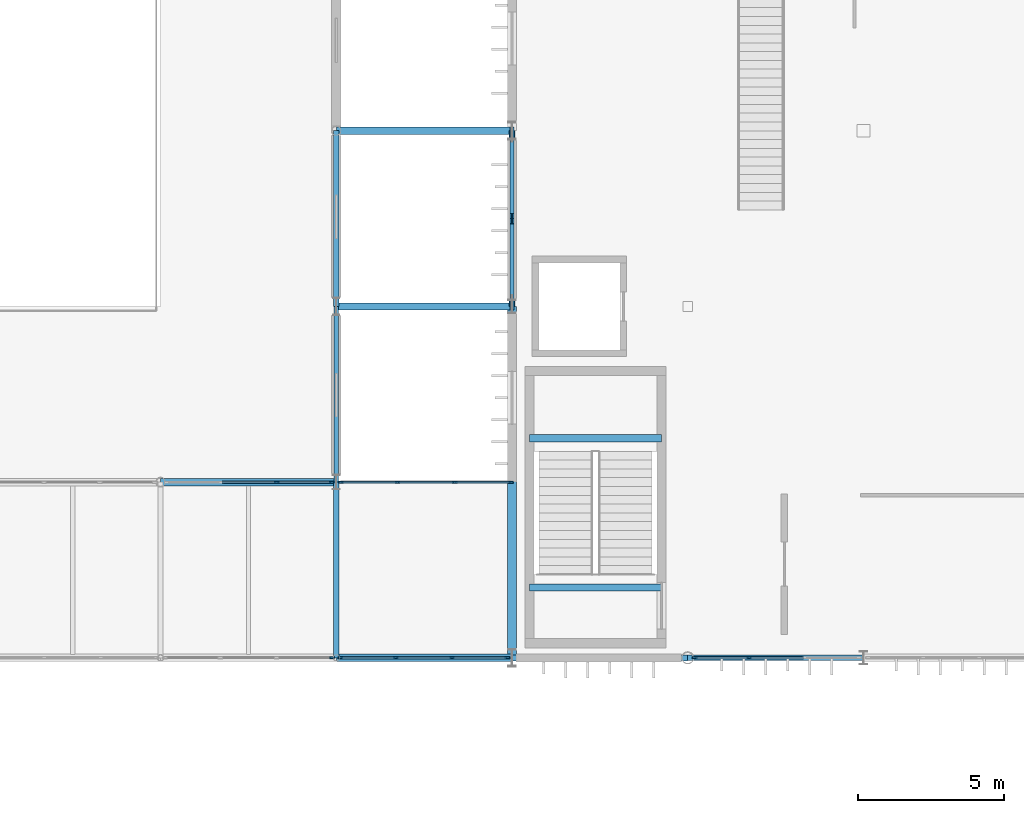
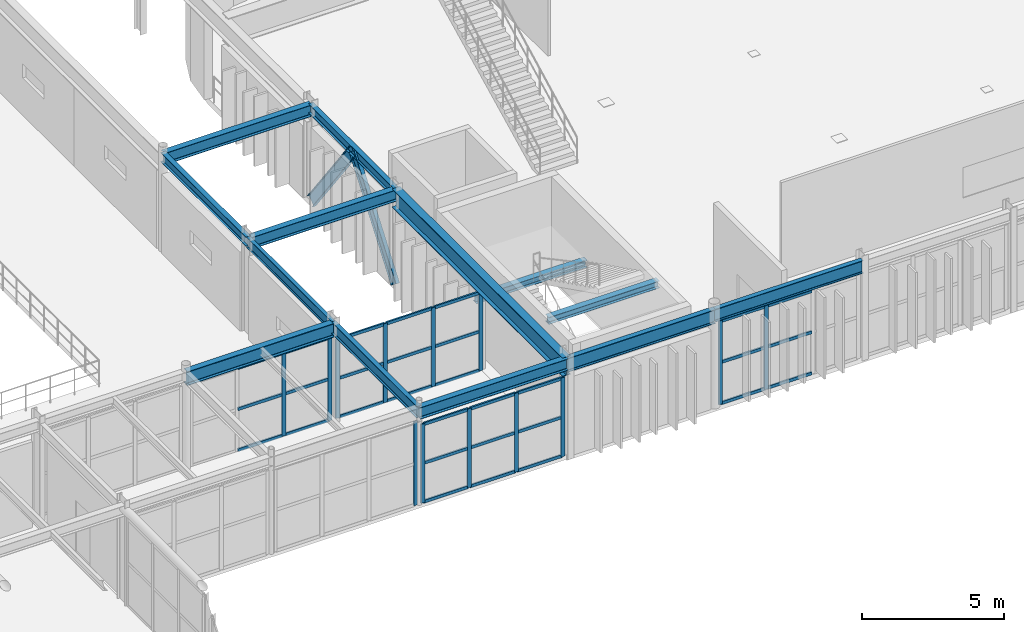
# One storey, part 35 of 84: 45 members, 13 beams, 5 elements without a shape of their own.
"""IFC4 building model written with IfcOpenShell, lengths in metres."""

from ifc_helpers import new_model, si_unit, direction, frame, origin, origin_2d, place, context, subcontext, project, spatial, rectangle, i_section, extrude, material, material_profile, profile_set, type_object, element, aggregate, save


model = new_model("IFC4")

# Units and contexts
model_context = context("Model", 3, precision=1e-05, world=origin(), true_north=direction((0.0, 1.0)))
body_context = subcontext(model_context, "Body", "Model", "MODEL_VIEW")
ifc_project = project(units=[si_unit("LENGTHUNIT", "METRE"), si_unit("AREAUNIT", "SQUARE_METRE"), si_unit("VOLUMEUNIT", "CUBIC_METRE"), si_unit("PLANEANGLEUNIT", "RADIAN"), si_unit("MASSUNIT", "GRAM", prefix="KILO")], contexts=[model_context])

# Site, building, storey
site_placement = place(None, origin())
site = spatial("IfcSite", under=ifc_project, at=site_placement, CompositionType="ELEMENT")
building_placement = place(site_placement, origin())
building = spatial("IfcBuilding", under=site, at=building_placement, Name="Varnakota Square Police Headquarters", CompositionType="ELEMENT")
storey_placement = place(building_placement, frame((0.0, 0.0, 13.5)))
storey = spatial("IfcBuildingStorey", under=building, at=storey_placement, Name="L03", CompositionType="ELEMENT", Elevation=13.5)

# Beams
ifc_material_1 = material(Name="Steel IS 2062 Grade 350", Category="steel")
ifc_material_profile_1 = material_profile(ifc_material_1, i_section(OverallWidth=0.320068359375, OverallDepth=0.800048828125, WebThickness=0.01611328125, FlangeThickness=0.028076171875, at=origin_2d()), Name="BPG 800x320")
ifc_profile_set_1 = profile_set([ifc_material_profile_1], Name="Steel IS 2062 Grade 350")
beam_type_1 = type_object("IfcBeamType", Name="BM-BPG800", PredefinedType="BEAM", material=ifc_profile_set_1)
beam_1_placement = place(storey_placement, frame((60.0, 69.0, 3.800048828125), z_axis=(0.0, 1.0, 0.0), x_axis=(-1.0, 0.0, 0.0)))
element("IfcBeam", 1, at=beam_1_placement, inside=storey, type_object=beam_type_1, Name="BMG-L03-2670", PredefinedType="BEAM", context=body_context, shape_type="SweptSolid", body=[
    extrude(i_section(OverallWidth=0.320068359375, OverallDepth=0.800048828125, WebThickness=0.01611328125, FlangeThickness=0.028076171875, at=origin_2d()), origin(), (0.0, 0.0, 1.0), 12.0),
])
ifc_material_profile_2 = material_profile(ifc_material_1, i_section(OverallWidth=0.25, OverallDepth=0.300048828125, WebThickness=0.009521484375, FlangeThickness=0.010498046875, FilletRadius=0.011962890625, at=origin_2d()), Name="ISHB 300")
ifc_profile_set_2 = profile_set([ifc_material_profile_2], Name="Steel IS 2062 Grade 350")
beam_type_2 = type_object("IfcBeamType", Name="BM-ISHB300", PredefinedType="BEAM", material=ifc_profile_set_2)
for number, where, z_axis, x_axis, name in (
    (2, (60.60009765625, 76.500732421875, 1.94189453125), (1.0, 0.0, 0.0), (0.0, 1.0, 0.0), "Stair landing support beam BM-LND-0077"),
    (3, (60.60009765625, 71.400146484375, 4.14990234375), (1.0, 0.0, 0.0), (0.0, 1.0, 0.0), "Stair landing support beam BM-LND-0078"),
):
    element("IfcBeam", number, at=place(storey_placement, frame(where, z_axis=z_axis, x_axis=x_axis)), inside=storey, type_object=beam_type_2, Name=name, PredefinedType="BEAM", context=body_context, shape_type="SweptSolid", body=[
        extrude(i_section(OverallWidth=0.25, OverallDepth=0.300048828125, WebThickness=0.009521484375, FlangeThickness=0.010498046875, FilletRadius=0.011962890625, at=origin_2d()), origin(), (0.0, 0.0, 1.0), 4.5),
    ])
ifc_material_profile_3 = material_profile(ifc_material_1, i_section(OverallWidth=0.14990234375, OverallDepth=0.449951171875, WebThickness=0.009521484375, FlangeThickness=0.017333984375, FilletRadius=0.014892578125, at=origin_2d()), Name="ISMB 450")
ifc_profile_set_3 = profile_set([ifc_material_profile_3], Name="Steel IS 2062 Grade 350")
beam_type_3 = type_object("IfcBeamType", Name="BM-ISMB450", PredefinedType="BEAM", material=ifc_profile_set_3)
beam_2_placement = place(storey_placement, frame((54.0, 75.0, 3.97509765625), z_axis=(0.0, 1.0, 0.0), x_axis=(-1.0, 0.0, 0.0)))
element("IfcBeam", 4, at=beam_2_placement, inside=storey, type_object=beam_type_3, Name="BMG-L03-2666", PredefinedType="BEAM", context=body_context, shape_type="SweptSolid", body=[
    extrude(i_section(OverallWidth=0.14990234375, OverallDepth=0.449951171875, WebThickness=0.009521484375, FlangeThickness=0.017333984375, FilletRadius=0.014892578125, at=origin_2d()), origin(), (0.0, 0.0, 1.0), 6.0),
])
ifc_material_profile_4 = material_profile(ifc_material_1, i_section(OverallWidth=0.179931640625, OverallDepth=0.5, WebThickness=0.01025390625, FlangeThickness=0.01708984375, FilletRadius=0.01708984375, at=origin_2d()), Name="ISMB 500")
ifc_profile_set_4 = profile_set([ifc_material_profile_4], Name="Steel IS 2062 Grade 350")
beam_type_4 = type_object("IfcBeamType", Name="BM-ISMB500", PredefinedType="BEAM", material=ifc_profile_set_4)
beam_3_placement = place(storey_placement, frame((54.0, 69.0, 3.949951171875), z_axis=(0.0, 1.0, 0.0), x_axis=(-1.0, 0.0, 0.0)))
element("IfcBeam", 5, at=beam_3_placement, inside=storey, type_object=beam_type_4, Name="BMG-L03-2665", PredefinedType="BEAM", context=body_context, shape_type="SweptSolid", body=[
    extrude(i_section(OverallWidth=0.179931640625, OverallDepth=0.5, WebThickness=0.01025390625, FlangeThickness=0.01708984375, FilletRadius=0.01708984375, at=origin_2d()), origin(), (0.0, 0.0, 1.0), 6.0),
])
ifc_material_profile_5 = material_profile(ifc_material_1, i_section(OverallWidth=0.18994140625, OverallDepth=0.550048828125, WebThickness=0.01123046875, FlangeThickness=0.019287109375, FilletRadius=0.01806640625, at=origin_2d()), Name="ISMB 550")
ifc_profile_set_5 = profile_set([ifc_material_profile_5], Name="Steel IS 2062 Grade 350")
beam_type_5 = type_object("IfcBeamType", Name="BM-ISMB550", PredefinedType="BEAM", material=ifc_profile_set_5)
beam_4_placement = place(storey_placement, frame((66.0, 69.0, 3.925048828125), z_axis=(1.0, 0.0, 0.0), x_axis=(0.0, 1.0, 0.0)))
element("IfcBeam", 6, at=beam_4_placement, inside=storey, type_object=beam_type_5, Name="BMG-L03-2517", PredefinedType="BEAM", context=body_context, shape_type="SweptSolid", body=[
    extrude(i_section(OverallWidth=0.18994140625, OverallDepth=0.550048828125, WebThickness=0.01123046875, FlangeThickness=0.019287109375, FilletRadius=0.01806640625, at=origin_2d()), origin(), (0.0, 0.0, 1.0), 6.0),
])
ifc_material_profile_6 = material_profile(ifc_material_1, i_section(OverallWidth=0.2099609375, OverallDepth=0.60009765625, WebThickness=0.011962890625, FlangeThickness=0.020751953125, FilletRadius=0.02001953125, at=origin_2d()), Name="ISMB 600")
ifc_profile_set_6 = profile_set([ifc_material_profile_6], Name="Steel IS 2062 Grade 350")
beam_type_6 = type_object("IfcBeamType", Name="BM-ISMB600", PredefinedType="BEAM", material=ifc_profile_set_6)
beam_5_placement = place(storey_placement, frame((60.0, 69.0, 3.89990234375), z_axis=(1.0, 0.0, 0.0), x_axis=(0.0, 1.0, 0.0)))
element("IfcBeam", 7, at=beam_5_placement, inside=storey, type_object=beam_type_6, Name="BMG-L03-2516", PredefinedType="BEAM", context=body_context, shape_type="SweptSolid", body=[
    extrude(i_section(OverallWidth=0.2099609375, OverallDepth=0.60009765625, WebThickness=0.011962890625, FlangeThickness=0.020751953125, FilletRadius=0.02001953125, at=origin_2d()), origin(), (0.0, 0.0, 1.0), 6.0),
])
ifc_material_profile_7 = material_profile(ifc_material_1, i_section(OverallWidth=0.199951171875, OverallDepth=0.39990234375, WebThickness=0.008544921875, FlangeThickness=0.012939453125, FilletRadius=0.012939453125, at=origin_2d()), Name="ISWB 400")
ifc_profile_set_7 = profile_set([ifc_material_profile_7], Name="Steel IS 2062 Grade 350")
beam_type_7 = type_object("IfcBeamType", Name="BM-ISWB400", PredefinedType="BEAM", material=ifc_profile_set_7)
for number, where, z_axis, x_axis, name in (
    (8, (54.0, 81.0, 4.0), (0.0, 1.0, 0.0), (-1.0, 0.0, 0.0), "BMG-L03-2667"),
    (9, (60.0, 81.0, 4.0), (0.0, 1.0, 0.0), (-1.0, 0.0, 0.0), "BMG-L03-2671"),
):
    element("IfcBeam", number, at=place(storey_placement, frame(where, z_axis=z_axis, x_axis=x_axis)), inside=storey, type_object=beam_type_7, Name=name, PredefinedType="BEAM", context=body_context, shape_type="SweptSolid", body=[
        extrude(i_section(OverallWidth=0.199951171875, OverallDepth=0.39990234375, WebThickness=0.008544921875, FlangeThickness=0.012939453125, FilletRadius=0.012939453125, at=origin_2d()), origin(), (0.0, 0.0, 1.0), 6.0),
    ])
ifc_material_profile_8 = material_profile(ifc_material_1, i_section(OverallWidth=0.25, OverallDepth=0.5, WebThickness=0.010009765625, FlangeThickness=0.0146484375, FilletRadius=0.014892578125, at=origin_2d()), Name="ISWB 500")
ifc_profile_set_8 = profile_set([ifc_material_profile_8], Name="Steel IS 2062 Grade 350")
beam_type_8 = type_object("IfcBeamType", Name="BM-ISWB500", PredefinedType="BEAM", material=ifc_profile_set_8)
for number, where, z_axis, x_axis, name in (
    (10, (54.0, 69.0, 3.949951171875), (1.0, 0.0, 0.0), (0.0, 1.0, 0.0), "BMG-L03-2515"),
    (11, (54.0, 81.0, 3.949951171875), (1.0, 0.0, 0.0), (0.0, 1.0, 0.0), "BMG-L03-2542"),
    (12, (54.0, 87.0, 3.949951171875), (1.0, 0.0, 0.0), (0.0, 1.0, 0.0), "BMG-L03-2550"),
):
    element("IfcBeam", number, at=place(storey_placement, frame(where, z_axis=z_axis, x_axis=x_axis)), inside=storey, type_object=beam_type_8, Name=name, PredefinedType="BEAM", context=body_context, shape_type="SweptSolid", body=[
        extrude(i_section(OverallWidth=0.25, OverallDepth=0.5, WebThickness=0.010009765625, FlangeThickness=0.0146484375, FilletRadius=0.014892578125, at=origin_2d()), origin(), (0.0, 0.0, 1.0), 6.0),
    ])
ifc_material_profile_9 = material_profile(ifc_material_1, i_section(OverallWidth=0.25, OverallDepth=0.60009765625, WebThickness=0.01171875, FlangeThickness=0.023681640625, FilletRadius=0.01708984375, at=origin_2d()), Name="ISWB 600")
ifc_profile_set_9 = profile_set([ifc_material_profile_9], Name="Steel IS 2062 Grade 350")
beam_type_9 = type_object("IfcBeamType", Name="BM-ISWB600", PredefinedType="BEAM", material=ifc_profile_set_9)
beam_6_placement = place(storey_placement, frame((48.0, 75.0, 3.89990234375), z_axis=(1.0, 0.0, 0.0), x_axis=(0.0, 1.0, 0.0)))
element("IfcBeam", 13, at=beam_6_placement, inside=storey, type_object=beam_type_9, Name="BMG-L03-2536", PredefinedType="BEAM", context=body_context, shape_type="SweptSolid", body=[
    extrude(i_section(OverallWidth=0.25, OverallDepth=0.60009765625, WebThickness=0.01171875, FlangeThickness=0.023681640625, FilletRadius=0.01708984375, at=origin_2d()), origin(), (0.0, 0.0, 1.0), 6.0),
])

# Curtain wall, member
ifc_material_2 = material(Name="Anodised Aluminium Framing", Category="aluminium")
curtain_wall_type_1 = type_object("IfcCurtainWallType", Name="CW-SYS-E", PredefinedType="NOTDEFINED", material=ifc_material_2)
curtain_wall_1_placement = place(storey_placement, origin())
curtain_wall_1 = element("IfcCurtainWall", 14, at=curtain_wall_1_placement, inside=storey, type_object=curtain_wall_type_1, Name="Unitised curtain wall CWG-L03-212", PredefinedType="NOTDEFINED")
ifc_material_3 = material(Name="Anodised Aluminium 6063-T6", Category="aluminium")
ifc_material_profile_10 = material_profile(ifc_material_3, rectangle(XDim=0.06494140625, YDim=0.159912109375, at=origin_2d()), Name="ALU MULLION 65x160")
ifc_profile_set_10 = profile_set([ifc_material_profile_10], Name="Anodised Aluminium 6063-T6")
member_type_1 = type_object("IfcMemberType", Name="CWM-150", PredefinedType="MULLION", material=ifc_profile_set_10)
member_1_placement = place(storey_placement, frame((53.852783203125, 69.0, 0.0), z_axis=(0.0, 0.0, 1.0), x_axis=(0.0, 1.0, 0.0)))
member_1 = element("IfcMember", 15, at=member_1_placement, type_object=member_type_1, Name="CWG-L03-212 mullion 4", PredefinedType="MULLION", context=body_context, shape_type="SweptSolid", body=[
    extrude(rectangle(XDim=0.06494140625, YDim=0.159912109375, at=origin_2d()), origin(), (0.0, 0.0, 1.0), 3.590087890625),
])
aggregate(curtain_wall_1, [member_1])

# Curtain wall, members
curtain_wall_2_placement = place(storey_placement, origin())
curtain_wall_2 = element("IfcCurtainWall", 16, at=curtain_wall_2_placement, inside=storey, type_object=curtain_wall_type_1, Name="Unitised curtain wall CWG-L03-213", PredefinedType="NOTDEFINED")
member_2_placement = place(storey_placement, frame((51.968994140625, 75.0, 0.0), z_axis=(0.0, 0.0, 1.0), x_axis=(0.0, 1.0, 0.0)))
member_2 = element("IfcMember", 17, at=member_2_placement, type_object=member_type_1, Name="CWG-L03-213 mullion 3", PredefinedType="MULLION", context=body_context, shape_type="SweptSolid", body=[
    extrude(rectangle(XDim=0.06494140625, YDim=0.159912109375, at=origin_2d()), origin(), (0.0, 0.0, 1.0), 3.590087890625),
])
member_3_placement = place(storey_placement, frame((53.83740234375, 75.0, 0.0), z_axis=(0.0, 0.0, 1.0), x_axis=(0.0, 1.0, 0.0)))
member_3 = element("IfcMember", 18, at=member_3_placement, type_object=member_type_1, Name="CWG-L03-213 mullion 4", PredefinedType="MULLION", context=body_context, shape_type="SweptSolid", body=[
    extrude(rectangle(XDim=0.06494140625, YDim=0.159912109375, at=origin_2d()), origin(), (0.0, 0.0, 1.0), 3.590087890625),
])

curtain_wall_3_placement = place(storey_placement, origin())
curtain_wall_3 = element("IfcCurtainWall", 19, at=curtain_wall_3_placement, inside=storey, type_object=curtain_wall_type_1, Name="Unitised curtain wall CWG-L03-214", PredefinedType="NOTDEFINED")
member_4_placement = place(storey_placement, frame((54.147216796875, 69.0, 0.0), z_axis=(0.0, 0.0, 1.0), x_axis=(0.0, 1.0, 0.0)))
member_4 = element("IfcMember", 20, at=member_4_placement, type_object=member_type_1, Name="CWG-L03-214 mullion 1", PredefinedType="MULLION", context=body_context, shape_type="SweptSolid", body=[
    extrude(rectangle(XDim=0.06494140625, YDim=0.159912109375, at=origin_2d()), origin(), (0.0, 0.0, 1.0), 3.389892578125),
])
member_5_placement = place(storey_placement, frame((56.032958984375, 69.0, 0.0), z_axis=(0.0, 0.0, 1.0), x_axis=(0.0, 1.0, 0.0)))
member_5 = element("IfcMember", 21, at=member_5_placement, type_object=member_type_1, Name="CWG-L03-214 mullion 2", PredefinedType="MULLION", context=body_context, shape_type="SweptSolid", body=[
    extrude(rectangle(XDim=0.06494140625, YDim=0.159912109375, at=origin_2d()), origin(), (0.0, 0.0, 1.0), 3.389892578125),
])
member_6_placement = place(storey_placement, frame((57.951416015625, 69.0, 0.0), z_axis=(0.0, 0.0, 1.0), x_axis=(0.0, 1.0, 0.0)))
member_6 = element("IfcMember", 22, at=member_6_placement, type_object=member_type_1, Name="CWG-L03-214 mullion 3", PredefinedType="MULLION", context=body_context, shape_type="SweptSolid", body=[
    extrude(rectangle(XDim=0.06494140625, YDim=0.159912109375, at=origin_2d()), origin(), (0.0, 0.0, 1.0), 3.389892578125),
])
member_7_placement = place(storey_placement, frame((59.83740234375, 69.0, 0.0), z_axis=(0.0, 0.0, 1.0), x_axis=(0.0, 1.0, 0.0)))
member_7 = element("IfcMember", 23, at=member_7_placement, type_object=member_type_1, Name="CWG-L03-214 mullion 4", PredefinedType="MULLION", context=body_context, shape_type="SweptSolid", body=[
    extrude(rectangle(XDim=0.06494140625, YDim=0.159912109375, at=origin_2d()), origin(), (0.0, 0.0, 1.0), 3.389892578125),
])

curtain_wall_4_placement = place(storey_placement, origin())
curtain_wall_4 = element("IfcCurtainWall", 24, at=curtain_wall_4_placement, inside=storey, type_object=curtain_wall_type_1, Name="Unitised curtain wall CWG-L03-215", PredefinedType="NOTDEFINED")
member_8_placement = place(storey_placement, frame((54.16259765625, 75.0, 0.0), z_axis=(0.0, 0.0, 1.0), x_axis=(0.0, 1.0, 0.0)))
member_8 = element("IfcMember", 25, at=member_8_placement, type_object=member_type_1, Name="CWG-L03-215 mullion 1", PredefinedType="MULLION", context=body_context, shape_type="SweptSolid", body=[
    extrude(rectangle(XDim=0.06494140625, YDim=0.159912109375, at=origin_2d()), origin(), (0.0, 0.0, 1.0), 3.389892578125),
])
member_9_placement = place(storey_placement, frame((56.086669921875, 75.0, 0.0), z_axis=(0.0, 0.0, 1.0), x_axis=(0.0, 1.0, 0.0)))
member_9 = element("IfcMember", 26, at=member_9_placement, type_object=member_type_1, Name="CWG-L03-215 mullion 2", PredefinedType="MULLION", context=body_context, shape_type="SweptSolid", body=[
    extrude(rectangle(XDim=0.06494140625, YDim=0.159912109375, at=origin_2d()), origin(), (0.0, 0.0, 1.0), 3.389892578125),
])
member_10_placement = place(storey_placement, frame((58.043212890625, 75.0, 0.0), z_axis=(0.0, 0.0, 1.0), x_axis=(0.0, 1.0, 0.0)))
member_10 = element("IfcMember", 27, at=member_10_placement, type_object=member_type_1, Name="CWG-L03-215 mullion 3", PredefinedType="MULLION", context=body_context, shape_type="SweptSolid", body=[
    extrude(rectangle(XDim=0.06494140625, YDim=0.159912109375, at=origin_2d()), origin(), (0.0, 0.0, 1.0), 3.389892578125),
])
member_11_placement = place(storey_placement, frame((59.967529296875, 75.0, 0.0), z_axis=(0.0, 0.0, 1.0), x_axis=(0.0, 1.0, 0.0)))
member_11 = element("IfcMember", 28, at=member_11_placement, type_object=member_type_1, Name="CWG-L03-215 mullion 4", PredefinedType="MULLION", context=body_context, shape_type="SweptSolid", body=[
    extrude(rectangle(XDim=0.06494140625, YDim=0.159912109375, at=origin_2d()), origin(), (0.0, 0.0, 1.0), 3.389892578125),
])

curtain_wall_type_2 = type_object("IfcCurtainWallType", Name="CW-SYS-B", PredefinedType="NOTDEFINED", material=ifc_material_2)
curtain_wall_5_placement = place(storey_placement, origin())
curtain_wall_5 = element("IfcCurtainWall", 29, at=curtain_wall_5_placement, inside=storey, type_object=curtain_wall_type_2, Name="Unitised curtain wall CWG-L03-245", PredefinedType="NOTDEFINED")
member_12_placement = place(storey_placement, frame((66.24072265625, 69.0, 0.0), z_axis=(0.0, 0.0, 1.0), x_axis=(0.0, 1.0, 0.0)))
member_12 = element("IfcMember", 30, at=member_12_placement, type_object=member_type_1, Name="CWG-L03-245 mullion 1", PredefinedType="MULLION", context=body_context, shape_type="SweptSolid", body=[
    extrude(rectangle(XDim=0.06494140625, YDim=0.159912109375, at=origin_2d()), origin(), (0.0, 0.0, 1.0), 3.590087890625),
])
member_13_placement = place(storey_placement, frame((68.095458984375, 69.0, 0.0), z_axis=(0.0, 0.0, 1.0), x_axis=(0.0, 1.0, 0.0)))
member_13 = element("IfcMember", 31, at=member_13_placement, type_object=member_type_1, Name="CWG-L03-245 mullion 2", PredefinedType="MULLION", context=body_context, shape_type="SweptSolid", body=[
    extrude(rectangle(XDim=0.06494140625, YDim=0.159912109375, at=origin_2d()), origin(), (0.0, 0.0, 1.0), 3.590087890625),
])

# Member
ifc_material_profile_11 = material_profile(ifc_material_3, rectangle(XDim=0.06494140625, YDim=0.1298828125, at=origin_2d()), Name="ALU TRANSOM 65x130")
ifc_profile_set_11 = profile_set([ifc_material_profile_11], Name="Anodised Aluminium 6063-T6")
member_type_2 = type_object("IfcMemberType", Name="CWT-120", PredefinedType="USERDEFINED", material=ifc_profile_set_11)
member_14_placement = place(storey_placement, frame((50.100341796875, 75.0, 0.032470703125), z_axis=(1.0, 0.0, 0.0), x_axis=(0.0, 1.0, 0.0)))
member_14 = element("IfcMember", 32, at=member_14_placement, type_object=member_type_2, Name="CWG-L03-213 transom 2.1", ObjectType="TRANSOM", PredefinedType="USERDEFINED", context=body_context, shape_type="SweptSolid", body=[
    extrude(rectangle(XDim=0.06494140625, YDim=0.1298828125, at=origin_2d()), origin(), (0.0, 0.0, 1.0), 1.836181640625),
])

member_15_placement = place(storey_placement, frame((50.100341796875, 75.0, 1.794921875), z_axis=(1.0, 0.0, 0.0), x_axis=(0.0, 1.0, 0.0)))
member_15 = element("IfcMember", 33, at=member_15_placement, type_object=member_type_2, Name="CWG-L03-213 transom 2.2", ObjectType="TRANSOM", PredefinedType="USERDEFINED", context=body_context, shape_type="SweptSolid", body=[
    extrude(rectangle(XDim=0.06494140625, YDim=0.1298828125, at=origin_2d()), origin(), (0.0, 0.0, 1.0), 1.836181640625),
])

member_16_placement = place(storey_placement, frame((50.100341796875, 75.0, 3.5576171875), z_axis=(1.0, 0.0, 0.0), x_axis=(0.0, 1.0, 0.0)))
member_16 = element("IfcMember", 34, at=member_16_placement, type_object=member_type_2, Name="CWG-L03-213 transom 2.3", ObjectType="TRANSOM", PredefinedType="USERDEFINED", context=body_context, shape_type="SweptSolid", body=[
    extrude(rectangle(XDim=0.06494140625, YDim=0.1298828125, at=origin_2d()), origin(), (0.0, 0.0, 1.0), 1.836181640625),
])

member_17_placement = place(storey_placement, frame((52.00146484375, 75.0, 0.032470703125), z_axis=(1.0, 0.0, 0.0), x_axis=(0.0, 1.0, 0.0)))
member_17 = element("IfcMember", 35, at=member_17_placement, type_object=member_type_2, Name="CWG-L03-213 transom 3.1", ObjectType="TRANSOM", PredefinedType="USERDEFINED", context=body_context, shape_type="SweptSolid", body=[
    extrude(rectangle(XDim=0.06494140625, YDim=0.1298828125, at=origin_2d()), origin(), (0.0, 0.0, 1.0), 1.803466796875),
])

member_18_placement = place(storey_placement, frame((52.00146484375, 75.0, 1.794921875), z_axis=(1.0, 0.0, 0.0), x_axis=(0.0, 1.0, 0.0)))
member_18 = element("IfcMember", 36, at=member_18_placement, type_object=member_type_2, Name="CWG-L03-213 transom 3.2", ObjectType="TRANSOM", PredefinedType="USERDEFINED", context=body_context, shape_type="SweptSolid", body=[
    extrude(rectangle(XDim=0.06494140625, YDim=0.1298828125, at=origin_2d()), origin(), (0.0, 0.0, 1.0), 1.803466796875),
])

member_19_placement = place(storey_placement, frame((52.00146484375, 75.0, 3.5576171875), z_axis=(1.0, 0.0, 0.0), x_axis=(0.0, 1.0, 0.0)))
member_19 = element("IfcMember", 37, at=member_19_placement, type_object=member_type_2, Name="CWG-L03-213 transom 3.3", ObjectType="TRANSOM", PredefinedType="USERDEFINED", context=body_context, shape_type="SweptSolid", body=[
    extrude(rectangle(XDim=0.06494140625, YDim=0.1298828125, at=origin_2d()), origin(), (0.0, 0.0, 1.0), 1.803466796875),
])

aggregate(curtain_wall_2, [member_2, member_3, member_14, member_15, member_16, member_17, member_18, member_19])

member_20_placement = place(storey_placement, frame((54.1796875, 69.0, 0.032470703125), z_axis=(1.0, 0.0, 0.0), x_axis=(0.0, 1.0, 0.0)))
member_20 = element("IfcMember", 38, at=member_20_placement, type_object=member_type_2, Name="CWG-L03-214 transom 1.1", ObjectType="TRANSOM", PredefinedType="USERDEFINED", context=body_context, shape_type="SweptSolid", body=[
    extrude(rectangle(XDim=0.06494140625, YDim=0.1298828125, at=origin_2d()), origin(), (0.0, 0.0, 1.0), 1.82080078125),
])

member_21_placement = place(storey_placement, frame((54.1796875, 69.0, 1.695068359375), z_axis=(1.0, 0.0, 0.0), x_axis=(0.0, 1.0, 0.0)))
member_21 = element("IfcMember", 39, at=member_21_placement, type_object=member_type_2, Name="CWG-L03-214 transom 1.2", ObjectType="TRANSOM", PredefinedType="USERDEFINED", context=body_context, shape_type="SweptSolid", body=[
    extrude(rectangle(XDim=0.06494140625, YDim=0.1298828125, at=origin_2d()), origin(), (0.0, 0.0, 1.0), 1.82080078125),
])

member_22_placement = place(storey_placement, frame((54.1796875, 69.0, 3.357421875), z_axis=(1.0, 0.0, 0.0), x_axis=(0.0, 1.0, 0.0)))
member_22 = element("IfcMember", 40, at=member_22_placement, type_object=member_type_2, Name="CWG-L03-214 transom 1.3", ObjectType="TRANSOM", PredefinedType="USERDEFINED", context=body_context, shape_type="SweptSolid", body=[
    extrude(rectangle(XDim=0.06494140625, YDim=0.1298828125, at=origin_2d()), origin(), (0.0, 0.0, 1.0), 1.82080078125),
])

member_23_placement = place(storey_placement, frame((56.065673828125, 69.0, 0.032470703125), z_axis=(1.0, 0.0, 0.0), x_axis=(0.0, 1.0, 0.0)))
member_23 = element("IfcMember", 41, at=member_23_placement, type_object=member_type_2, Name="CWG-L03-214 transom 2.1", ObjectType="TRANSOM", PredefinedType="USERDEFINED", context=body_context, shape_type="SweptSolid", body=[
    extrude(rectangle(XDim=0.06494140625, YDim=0.1298828125, at=origin_2d()), origin(), (0.0, 0.0, 1.0), 1.853271484375),
])

member_24_placement = place(storey_placement, frame((56.065673828125, 69.0, 1.695068359375), z_axis=(1.0, 0.0, 0.0), x_axis=(0.0, 1.0, 0.0)))
member_24 = element("IfcMember", 42, at=member_24_placement, type_object=member_type_2, Name="CWG-L03-214 transom 2.2", ObjectType="TRANSOM", PredefinedType="USERDEFINED", context=body_context, shape_type="SweptSolid", body=[
    extrude(rectangle(XDim=0.06494140625, YDim=0.1298828125, at=origin_2d()), origin(), (0.0, 0.0, 1.0), 1.853271484375),
])

member_25_placement = place(storey_placement, frame((56.065673828125, 69.0, 3.357421875), z_axis=(1.0, 0.0, 0.0), x_axis=(0.0, 1.0, 0.0)))
member_25 = element("IfcMember", 43, at=member_25_placement, type_object=member_type_2, Name="CWG-L03-214 transom 2.3", ObjectType="TRANSOM", PredefinedType="USERDEFINED", context=body_context, shape_type="SweptSolid", body=[
    extrude(rectangle(XDim=0.06494140625, YDim=0.1298828125, at=origin_2d()), origin(), (0.0, 0.0, 1.0), 1.853271484375),
])

member_26_placement = place(storey_placement, frame((57.984130859375, 69.0, 0.032470703125), z_axis=(1.0, 0.0, 0.0), x_axis=(0.0, 1.0, 0.0)))
member_26 = element("IfcMember", 44, at=member_26_placement, type_object=member_type_2, Name="CWG-L03-214 transom 3.1", ObjectType="TRANSOM", PredefinedType="USERDEFINED", context=body_context, shape_type="SweptSolid", body=[
    extrude(rectangle(XDim=0.06494140625, YDim=0.1298828125, at=origin_2d()), origin(), (0.0, 0.0, 1.0), 1.82080078125),
])

member_27_placement = place(storey_placement, frame((57.984130859375, 69.0, 1.695068359375), z_axis=(1.0, 0.0, 0.0), x_axis=(0.0, 1.0, 0.0)))
member_27 = element("IfcMember", 45, at=member_27_placement, type_object=member_type_2, Name="CWG-L03-214 transom 3.2", ObjectType="TRANSOM", PredefinedType="USERDEFINED", context=body_context, shape_type="SweptSolid", body=[
    extrude(rectangle(XDim=0.06494140625, YDim=0.1298828125, at=origin_2d()), origin(), (0.0, 0.0, 1.0), 1.82080078125),
])

member_28_placement = place(storey_placement, frame((57.984130859375, 69.0, 3.357421875), z_axis=(1.0, 0.0, 0.0), x_axis=(0.0, 1.0, 0.0)))
member_28 = element("IfcMember", 46, at=member_28_placement, type_object=member_type_2, Name="CWG-L03-214 transom 3.3", ObjectType="TRANSOM", PredefinedType="USERDEFINED", context=body_context, shape_type="SweptSolid", body=[
    extrude(rectangle(XDim=0.06494140625, YDim=0.1298828125, at=origin_2d()), origin(), (0.0, 0.0, 1.0), 1.82080078125),
])

aggregate(curtain_wall_3, [member_4, member_5, member_6, member_7, member_20, member_21, member_22, member_23, member_24, member_25, member_26, member_27, member_28])

member_29_placement = place(storey_placement, frame((54.195068359375, 75.0, 0.032470703125), z_axis=(1.0, 0.0, 0.0), x_axis=(0.0, 1.0, 0.0)))
member_29 = element("IfcMember", 47, at=member_29_placement, type_object=member_type_2, Name="CWG-L03-215 transom 1.1", ObjectType="TRANSOM", PredefinedType="USERDEFINED", context=body_context, shape_type="SweptSolid", body=[
    extrude(rectangle(XDim=0.06494140625, YDim=0.1298828125, at=origin_2d()), origin(), (0.0, 0.0, 1.0), 1.859130859375),
])

member_30_placement = place(storey_placement, frame((54.195068359375, 75.0, 1.695068359375), z_axis=(1.0, 0.0, 0.0), x_axis=(0.0, 1.0, 0.0)))
member_30 = element("IfcMember", 48, at=member_30_placement, type_object=member_type_2, Name="CWG-L03-215 transom 1.2", ObjectType="TRANSOM", PredefinedType="USERDEFINED", context=body_context, shape_type="SweptSolid", body=[
    extrude(rectangle(XDim=0.06494140625, YDim=0.1298828125, at=origin_2d()), origin(), (0.0, 0.0, 1.0), 1.859130859375),
])

member_31_placement = place(storey_placement, frame((54.195068359375, 75.0, 3.357421875), z_axis=(1.0, 0.0, 0.0), x_axis=(0.0, 1.0, 0.0)))
member_31 = element("IfcMember", 49, at=member_31_placement, type_object=member_type_2, Name="CWG-L03-215 transom 1.3", ObjectType="TRANSOM", PredefinedType="USERDEFINED", context=body_context, shape_type="SweptSolid", body=[
    extrude(rectangle(XDim=0.06494140625, YDim=0.1298828125, at=origin_2d()), origin(), (0.0, 0.0, 1.0), 1.859130859375),
])

member_32_placement = place(storey_placement, frame((56.119140625, 75.0, 0.032470703125), z_axis=(1.0, 0.0, 0.0), x_axis=(0.0, 1.0, 0.0)))
member_32 = element("IfcMember", 50, at=member_32_placement, type_object=member_type_2, Name="CWG-L03-215 transom 2.1", ObjectType="TRANSOM", PredefinedType="USERDEFINED", context=body_context, shape_type="SweptSolid", body=[
    extrude(rectangle(XDim=0.06494140625, YDim=0.1298828125, at=origin_2d()), origin(), (0.0, 0.0, 1.0), 1.8916015625),
])

member_33_placement = place(storey_placement, frame((56.119140625, 75.0, 1.695068359375), z_axis=(1.0, 0.0, 0.0), x_axis=(0.0, 1.0, 0.0)))
member_33 = element("IfcMember", 51, at=member_33_placement, type_object=member_type_2, Name="CWG-L03-215 transom 2.2", ObjectType="TRANSOM", PredefinedType="USERDEFINED", context=body_context, shape_type="SweptSolid", body=[
    extrude(rectangle(XDim=0.06494140625, YDim=0.1298828125, at=origin_2d()), origin(), (0.0, 0.0, 1.0), 1.8916015625),
])

member_34_placement = place(storey_placement, frame((56.119140625, 75.0, 3.357421875), z_axis=(1.0, 0.0, 0.0), x_axis=(0.0, 1.0, 0.0)))
member_34 = element("IfcMember", 52, at=member_34_placement, type_object=member_type_2, Name="CWG-L03-215 transom 2.3", ObjectType="TRANSOM", PredefinedType="USERDEFINED", context=body_context, shape_type="SweptSolid", body=[
    extrude(rectangle(XDim=0.06494140625, YDim=0.1298828125, at=origin_2d()), origin(), (0.0, 0.0, 1.0), 1.8916015625),
])

member_35_placement = place(storey_placement, frame((58.075927734375, 75.0, 0.032470703125), z_axis=(1.0, 0.0, 0.0), x_axis=(0.0, 1.0, 0.0)))
member_35 = element("IfcMember", 53, at=member_35_placement, type_object=member_type_2, Name="CWG-L03-215 transom 3.1", ObjectType="TRANSOM", PredefinedType="USERDEFINED", context=body_context, shape_type="SweptSolid", body=[
    extrude(rectangle(XDim=0.06494140625, YDim=0.1298828125, at=origin_2d()), origin(), (0.0, 0.0, 1.0), 1.859130859375),
])

member_36_placement = place(storey_placement, frame((58.075927734375, 75.0, 1.695068359375), z_axis=(1.0, 0.0, 0.0), x_axis=(0.0, 1.0, 0.0)))
member_36 = element("IfcMember", 54, at=member_36_placement, type_object=member_type_2, Name="CWG-L03-215 transom 3.2", ObjectType="TRANSOM", PredefinedType="USERDEFINED", context=body_context, shape_type="SweptSolid", body=[
    extrude(rectangle(XDim=0.06494140625, YDim=0.1298828125, at=origin_2d()), origin(), (0.0, 0.0, 1.0), 1.859130859375),
])

member_37_placement = place(storey_placement, frame((58.075927734375, 75.0, 3.357421875), z_axis=(1.0, 0.0, 0.0), x_axis=(0.0, 1.0, 0.0)))
member_37 = element("IfcMember", 55, at=member_37_placement, type_object=member_type_2, Name="CWG-L03-215 transom 3.3", ObjectType="TRANSOM", PredefinedType="USERDEFINED", context=body_context, shape_type="SweptSolid", body=[
    extrude(rectangle(XDim=0.06494140625, YDim=0.1298828125, at=origin_2d()), origin(), (0.0, 0.0, 1.0), 1.859130859375),
])

aggregate(curtain_wall_4, [member_8, member_9, member_10, member_11, member_29, member_30, member_31, member_32, member_33, member_34, member_35, member_36, member_37])

member_38_placement = place(storey_placement, frame((66.273193359375, 69.0, 0.032470703125), z_axis=(1.0, 0.0, 0.0), x_axis=(0.0, 1.0, 0.0)))
member_38 = element("IfcMember", 56, at=member_38_placement, type_object=member_type_2, Name="CWG-L03-245 transom 1.1", ObjectType="TRANSOM", PredefinedType="USERDEFINED", context=body_context, shape_type="SweptSolid", body=[
    extrude(rectangle(XDim=0.06494140625, YDim=0.1298828125, at=origin_2d()), origin(), (0.0, 0.0, 1.0), 1.789794921875),
])

member_39_placement = place(storey_placement, frame((66.273193359375, 69.0, 1.794921875), z_axis=(1.0, 0.0, 0.0), x_axis=(0.0, 1.0, 0.0)))
member_39 = element("IfcMember", 57, at=member_39_placement, type_object=member_type_2, Name="CWG-L03-245 transom 1.2", ObjectType="TRANSOM", PredefinedType="USERDEFINED", context=body_context, shape_type="SweptSolid", body=[
    extrude(rectangle(XDim=0.06494140625, YDim=0.1298828125, at=origin_2d()), origin(), (0.0, 0.0, 1.0), 1.789794921875),
])

member_40_placement = place(storey_placement, frame((66.273193359375, 69.0, 3.5576171875), z_axis=(1.0, 0.0, 0.0), x_axis=(0.0, 1.0, 0.0)))
member_40 = element("IfcMember", 58, at=member_40_placement, type_object=member_type_2, Name="CWG-L03-245 transom 1.3", ObjectType="TRANSOM", PredefinedType="USERDEFINED", context=body_context, shape_type="SweptSolid", body=[
    extrude(rectangle(XDim=0.06494140625, YDim=0.1298828125, at=origin_2d()), origin(), (0.0, 0.0, 1.0), 1.789794921875),
])

member_41_placement = place(storey_placement, frame((68.1279296875, 69.0, 0.032470703125), z_axis=(1.0, 0.0, 0.0), x_axis=(0.0, 1.0, 0.0)))
member_41 = element("IfcMember", 59, at=member_41_placement, type_object=member_type_2, Name="CWG-L03-245 transom 2.1", ObjectType="TRANSOM", PredefinedType="USERDEFINED", context=body_context, shape_type="SweptSolid", body=[
    extrude(rectangle(XDim=0.06494140625, YDim=0.1298828125, at=origin_2d()), origin(), (0.0, 0.0, 1.0), 1.822265625),
])

member_42_placement = place(storey_placement, frame((68.1279296875, 69.0, 1.794921875), z_axis=(1.0, 0.0, 0.0), x_axis=(0.0, 1.0, 0.0)))
member_42 = element("IfcMember", 60, at=member_42_placement, type_object=member_type_2, Name="CWG-L03-245 transom 2.2", ObjectType="TRANSOM", PredefinedType="USERDEFINED", context=body_context, shape_type="SweptSolid", body=[
    extrude(rectangle(XDim=0.06494140625, YDim=0.1298828125, at=origin_2d()), origin(), (0.0, 0.0, 1.0), 1.822265625),
])

member_43_placement = place(storey_placement, frame((68.1279296875, 69.0, 3.5576171875), z_axis=(1.0, 0.0, 0.0), x_axis=(0.0, 1.0, 0.0)))
member_43 = element("IfcMember", 61, at=member_43_placement, type_object=member_type_2, Name="CWG-L03-245 transom 2.3", ObjectType="TRANSOM", PredefinedType="USERDEFINED", context=body_context, shape_type="SweptSolid", body=[
    extrude(rectangle(XDim=0.06494140625, YDim=0.1298828125, at=origin_2d()), origin(), (0.0, 0.0, 1.0), 1.822265625),
])

aggregate(curtain_wall_5, [member_12, member_13, member_38, member_39, member_40, member_41, member_42, member_43])

# Members
ifc_material_profile_12 = material_profile(ifc_material_1, i_section(OverallWidth=0.14990234375, OverallDepth=0.449951171875, WebThickness=0.009521484375, FlangeThickness=0.017333984375, FilletRadius=0.014892578125, at=origin_2d()), Name="ISMB 450")
ifc_profile_set_12 = profile_set([ifc_material_profile_12], Name="Steel IS 2062 Grade 350")
member_type_3 = type_object("IfcMemberType", Name="MEM-BR-ISMB450", PredefinedType="BRACE", material=ifc_profile_set_12)
for number, where, z_axis, x_axis, name in (
    (62, (60.0, 81.050048828125, 0.02001953125), (0.0, 0.600325874044, 0.79975549073), (-1.0, 0.0, 0.0), "Lateral brace BF5 L03 left"),
    (63, (60.0, 86.949951171875, 0.02001953125), (0.0, -0.600325874044, 0.79975549073), (1.0, 0.0, 0.0), "Lateral brace BF5 L03 right"),
):
    element("IfcMember", number, at=place(storey_placement, frame(where, z_axis=z_axis, x_axis=x_axis)), inside=storey, type_object=member_type_3, Name=name, PredefinedType="BRACE", context=body_context, shape_type="SweptSolid", body=[
        extrude(i_section(OverallWidth=0.14990234375, OverallDepth=0.449951171875, WebThickness=0.009521484375, FlangeThickness=0.017333984375, FilletRadius=0.014892578125, at=origin_2d()), origin(), (0.0, 0.0, 1.0), 4.913818359375),
    ])

save(model, "model.ifc")
